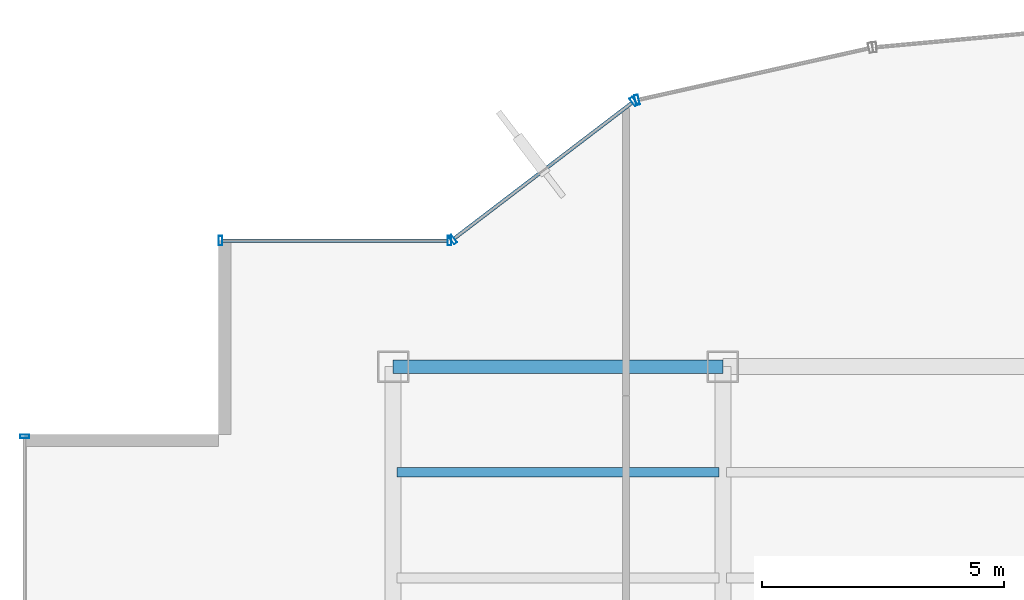
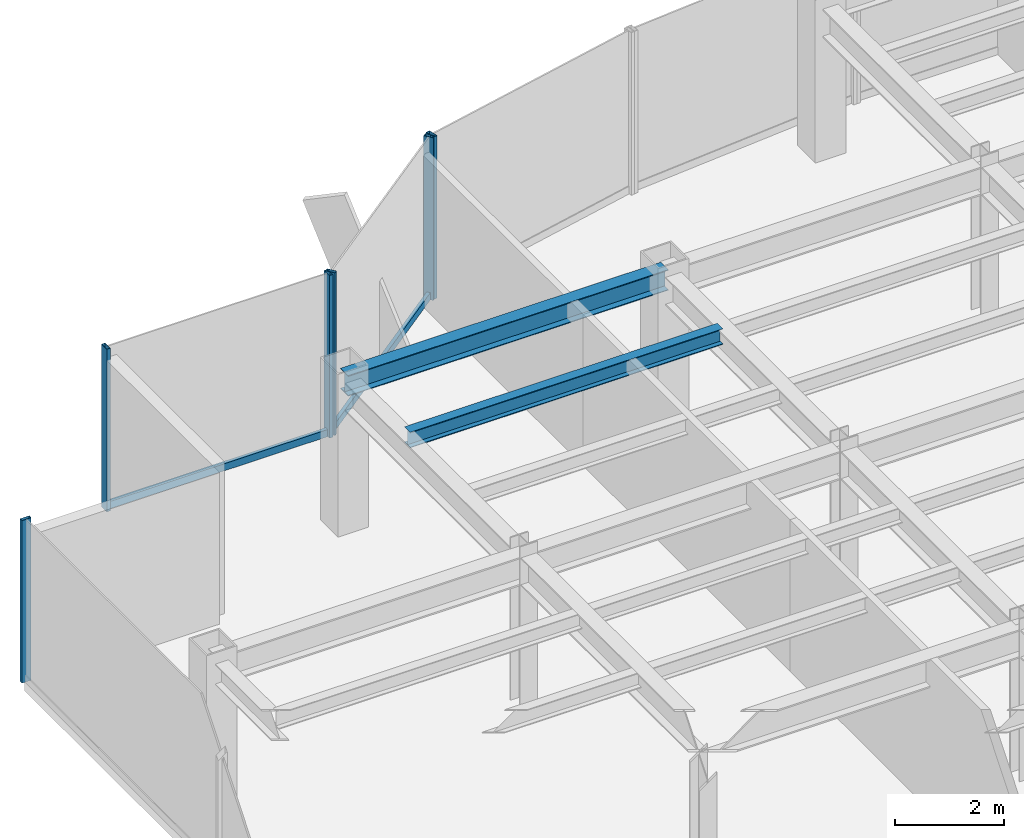
# One storey, part 14 of 25: 8 members, 2 beams, 4 elements without a shape of their own.
"""IFC4 building model written with IfcOpenShell, lengths in metres."""

from ifc_helpers import new_model, si_unit, derived_unit, direction, frame, origin, origin_2d, place, context, subcontext, project, spatial, hollow_rectangle, i_section, extrude, source, transform, mapped, material, material_profile, profile_set, type_object, element, aggregate, save


model = new_model("IFC4")

# Units and contexts
model_context = context("Model", 3, precision=1e-05, world=origin(), true_north=direction((0.0, 1.0)))
body_context = subcontext(model_context, "Body", "Model", "MODEL_VIEW")
ifc_project = project(units=[si_unit("LENGTHUNIT", "METRE"), si_unit("AREAUNIT", "SQUARE_METRE"), si_unit("VOLUMEUNIT", "CUBIC_METRE"), si_unit("PLANEANGLEUNIT", "RADIAN"), si_unit("MASSUNIT", "GRAM", prefix="KILO"), derived_unit("THERMALTRANSMITTANCEUNIT", [(si_unit("POWERUNIT", "WATT"), 1), (si_unit("LENGTHUNIT", "METRE"), -2), (si_unit("THERMODYNAMICTEMPERATUREUNIT", "KELVIN"), -1)])], contexts=[model_context])

# Site, building, storey
site_placement = place(None, origin())
site = spatial("IfcSite", under=ifc_project, at=site_placement, CompositionType="ELEMENT")
building_placement = place(site_placement, origin())
building = spatial("IfcBuilding", under=site, at=building_placement, Name="Skarnbrae Concourse Arena and Tower", CompositionType="ELEMENT")
storey_placement = place(building_placement, frame((0.0, 0.0, 151.550048828125)))
storey = spatial("IfcBuildingStorey", under=building, at=storey_placement, Name="L38", CompositionType="ELEMENT", Elevation=151.550048828125)

# Beams
ifc_material_1 = material(Name="Steel CSA G40.21 350W", Category="steel")
ifc_material_profile_1 = material_profile(ifc_material_1, i_section(OverallWidth=0.280029296875, OverallDepth=0.462890625, WebThickness=0.0107421875, FlangeThickness=0.017333984375, at=origin_2d()), Name="W460X113")
ifc_profile_set_1 = profile_set([ifc_material_profile_1], Name="Steel CSA G40.21 350W")
beam_type_1 = type_object("IfcBeamType", Name="BM-SPAN-W460X113", PredefinedType="SPANDREL", material=ifc_profile_set_1)
shared_shape_1 = source(origin(), body_context, "Body", "SweptSolid", [
    extrude(i_section(OverallWidth=0.280029296875, OverallDepth=0.462890625, WebThickness=0.0107421875, FlangeThickness=0.017333984375, at=origin_2d()), origin(), (0.0, 0.0, 1.0), 6.7998046875),
])
beam_1_placement = place(storey_placement, frame((7.60009765625, 34.39990234375, 3.16845703125), z_axis=(1.0, 0.0, 0.0), x_axis=(0.0, 1.0, 0.0)))
element("IfcBeam", 1, at=beam_1_placement, inside=storey, type_object=beam_type_1, Name="L38 Perimeter spandrel Y34.4-1", PredefinedType="SPANDREL", context=body_context, shape_type="MappedRepresentation", body=[
    mapped(shared_shape_1, transform((0.0, 0.0, 0.0))),
])
ifc_material_profile_2 = material_profile(ifc_material_1, i_section(OverallWidth=0.205078125, OverallDepth=0.35400390625, WebThickness=0.009521484375, FlangeThickness=0.016845703125, at=origin_2d()), Name="W360X79")
ifc_profile_set_2 = profile_set([ifc_material_profile_2], Name="Steel CSA G40.21 350W")
beam_type_2 = type_object("IfcBeamType", Name="BM-JOIST-W360X79", PredefinedType="JOIST", material=ifc_profile_set_2)
shared_shape_2 = source(origin(), body_context, "Body", "SweptSolid", [
    extrude(i_section(OverallWidth=0.205078125, OverallDepth=0.35400390625, WebThickness=0.009521484375, FlangeThickness=0.016845703125, at=origin_2d()), origin(), (0.0, 0.0, 1.0), 6.64013671875),
])
beam_2_placement = place(storey_placement, frame((7.679931640625, 32.221923828125, 3.222900390625), z_axis=(1.0, 0.0, 0.0), x_axis=(0.0, 1.0, 0.0)))
element("IfcBeam", 2, at=beam_2_placement, inside=storey, type_object=beam_type_2, Name="L38 Secondary floor joist 3.2.1", PredefinedType="JOIST", context=body_context, shape_type="MappedRepresentation", body=[
    mapped(shared_shape_2, transform((0.0, 0.0, 0.0))),
])

# Curtain wall, member
ifc_material_2 = material(Name="Bronze anodised aluminium 6063-T6", Category="aluminium")
curtain_wall_type_1 = type_object("IfcCurtainWallType", Name="CW-SYS-03-PORTAL", PredefinedType="USERDEFINED", material=ifc_material_2)
curtain_wall_1_placement = place(storey_placement, origin())
curtain_wall_1 = element("IfcCurtainWall", 3, at=curtain_wall_1_placement, inside=storey, type_object=curtain_wall_type_1, Name="L38 Unitised curtain wall CW-L38-E13", ObjectType="UNITISED CURTAIN WALL", PredefinedType="USERDEFINED")
ifc_material_profile_3 = material_profile(ifc_material_2, hollow_rectangle(XDim=0.080078125, YDim=0.2099609375, WallThickness=0.00439453125, at=origin_2d()), Name="ALU-MULL-80X210")
ifc_profile_set_3 = profile_set([ifc_material_profile_3], Name="Bronze anodised aluminium 6063-T6")
member_type_1 = type_object("IfcMemberType", Name="CWM-CW-03", PredefinedType="MULLION", material=ifc_profile_set_3)
shared_shape_3 = source(origin(), body_context, "Body", "SweptSolid", [
    extrude(hollow_rectangle(XDim=0.080078125, YDim=0.2099609375, WallThickness=0.00439453125, at=origin_2d()), origin(), (0.0, 0.0, 1.0), 3.64990234375),
])
member_1_placement = place(storey_placement, frame((12.62939453125, 39.9013671875, 0.0), z_axis=(0.0, 0.0, 1.0), x_axis=(-0.975936175393, -0.218056372433, 0.0)))
member_1 = element("IfcMember", 4, at=member_1_placement, type_object=member_type_1, Name="CW-L38-E13 Mullion 2", PredefinedType="MULLION", context=body_context, shape_type="MappedRepresentation", body=[
    mapped(shared_shape_3, transform((0.0, 0.0, 0.0))),
])
aggregate(curtain_wall_1, [member_1])

# Curtain wall, members
curtain_wall_type_2 = type_object("IfcCurtainWallType", Name="CW-SYS-04-MIDZONE", PredefinedType="USERDEFINED", material=ifc_material_2)
curtain_wall_2_placement = place(storey_placement, origin())
curtain_wall_2 = element("IfcCurtainWall", 5, at=curtain_wall_2_placement, inside=storey, type_object=curtain_wall_type_2, Name="L38 Unitised curtain wall CW-L38-E14", ObjectType="UNITISED CURTAIN WALL", PredefinedType="USERDEFINED")
ifc_material_profile_4 = material_profile(ifc_material_2, hollow_rectangle(XDim=0.074951171875, YDim=0.195068359375, WallThickness=0.00439453125, at=origin_2d()), Name="ALU-MULL-75X195")
ifc_profile_set_4 = profile_set([ifc_material_profile_4], Name="Bronze anodised aluminium 6063-T6")
member_type_2 = type_object("IfcMemberType", Name="CWM-CW-04", PredefinedType="MULLION", material=ifc_profile_set_4)
shared_shape_4 = source(origin(), body_context, "Body", "SweptSolid", [
    extrude(hollow_rectangle(XDim=0.074951171875, YDim=0.195068359375, WallThickness=0.00439453125, at=origin_2d()), origin(), (0.0, 0.0, 1.0), 3.64990234375),
])
member_2_placement = place(storey_placement, frame((12.560791015625, 39.869873046875, 0.0), z_axis=(0.0, 0.0, 1.0), x_axis=(-0.794956000706, -0.606667089054, 0.0)))
member_2 = element("IfcMember", 6, at=member_2_placement, type_object=member_type_2, Name="CW-L38-E14 Mullion 1", PredefinedType="MULLION", context=body_context, shape_type="MappedRepresentation", body=[
    mapped(shared_shape_4, transform((0.0, 0.0, 0.0))),
])
member_3_placement = place(storey_placement, frame((8.829833984375, 37.022705078125, 0.0), z_axis=(0.0, 0.0, 1.0), x_axis=(-0.794956000706, -0.606667089054, 0.0)))
member_3 = element("IfcMember", 7, at=member_3_placement, type_object=member_type_2, Name="CW-L38-E14 Mullion 2", PredefinedType="MULLION", context=body_context, shape_type="MappedRepresentation", body=[
    mapped(shared_shape_4, transform((0.0, 0.0, 0.0))),
])

curtain_wall_3_placement = place(storey_placement, origin())
curtain_wall_3 = element("IfcCurtainWall", 8, at=curtain_wall_3_placement, inside=storey, type_object=curtain_wall_type_2, Name="L38 Unitised curtain wall CW-L38-E15", ObjectType="UNITISED CURTAIN WALL", PredefinedType="USERDEFINED")
member_4_placement = place(storey_placement, frame((8.762451171875, 37.0, 0.0), z_axis=(0.0, 0.0, 1.0), x_axis=(-1.0, 0.0, 0.0)))
member_4 = element("IfcMember", 9, at=member_4_placement, type_object=member_type_2, Name="CW-L38-E15 Mullion 1", PredefinedType="MULLION", context=body_context, shape_type="MappedRepresentation", body=[
    mapped(shared_shape_4, transform((0.0, 0.0, 0.0))),
])
member_5_placement = place(storey_placement, frame((4.03759765625, 37.0, 0.0), z_axis=(0.0, 0.0, 1.0), x_axis=(-1.0, 0.0, 0.0)))
member_5 = element("IfcMember", 10, at=member_5_placement, type_object=member_type_2, Name="CW-L38-E15 Mullion 2", PredefinedType="MULLION", context=body_context, shape_type="MappedRepresentation", body=[
    mapped(shared_shape_4, transform((0.0, 0.0, 0.0))),
])

# Curtain wall, member
curtain_wall_4_placement = place(storey_placement, origin())
curtain_wall_4 = element("IfcCurtainWall", 11, at=curtain_wall_4_placement, inside=storey, type_object=curtain_wall_type_2, Name="L38 Unitised curtain wall CW-L38-E18", ObjectType="UNITISED CURTAIN WALL", PredefinedType="USERDEFINED")
member_6_placement = place(storey_placement, frame((0.0, 32.96240234375, 0.0), z_axis=(0.0, 0.0, 1.0), x_axis=(0.0, -1.0, 0.0)))
member_6 = element("IfcMember", 12, at=member_6_placement, type_object=member_type_2, Name="CW-L38-E18 Mullion 1", PredefinedType="MULLION", context=body_context, shape_type="MappedRepresentation", body=[
    mapped(shared_shape_4, transform((0.0, 0.0, 0.0))),
])
aggregate(curtain_wall_4, [member_6])

# Member
ifc_material_profile_5 = material_profile(ifc_material_2, hollow_rectangle(XDim=0.074951171875, YDim=0.159912109375, WallThickness=0.00439453125, at=origin_2d()), Name="ALU-TRAN-75X160")
ifc_profile_set_5 = profile_set([ifc_material_profile_5], Name="Bronze anodised aluminium 6063-T6")
member_type_3 = type_object("IfcMemberType", Name="CWT-CW-04", PredefinedType="USERDEFINED", material=ifc_profile_set_5)
shared_shape_5 = source(origin(), body_context, "Body", "SweptSolid", [
    extrude(hollow_rectangle(XDim=0.074951171875, YDim=0.159912109375, WallThickness=0.00439453125, at=origin_2d()), origin(), (0.0, 0.0, 1.0), 4.650146484375),
])
member_7_placement = place(storey_placement, frame((8.72509765625, 37.0, 0.079833984375), z_axis=(-1.0, 0.0, 0.0), x_axis=(0.0, -1.0, 0.0)))
member_7 = element("IfcMember", 13, at=member_7_placement, type_object=member_type_3, Name="CW-L38-E15 Transom 1", ObjectType="TRANSOM", PredefinedType="USERDEFINED", context=body_context, shape_type="MappedRepresentation", body=[
    mapped(shared_shape_5, transform((0.0, 0.0, 0.0))),
])

aggregate(curtain_wall_3, [member_4, member_5, member_7])

shared_shape_6 = source(origin(), body_context, "Body", "SweptSolid", [
    extrude(hollow_rectangle(XDim=0.074951171875, YDim=0.159912109375, WallThickness=0.00439453125, at=origin_2d()), origin(), (0.0, 0.0, 1.0), 4.618408203125),
])
member_8_placement = place(storey_placement, frame((12.531005859375, 39.84716796875, 0.079833984375), z_axis=(-0.794960638756, -0.606661011462, 0.0), x_axis=(0.606661011462, -0.794960638756, 0.0)))
member_8 = element("IfcMember", 14, at=member_8_placement, type_object=member_type_3, Name="CW-L38-E14 Transom 1", ObjectType="TRANSOM", PredefinedType="USERDEFINED", context=body_context, shape_type="MappedRepresentation", body=[
    mapped(shared_shape_6, transform((0.0, 0.0, 0.0))),
])

aggregate(curtain_wall_2, [member_2, member_3, member_8])

save(model, "model.ifc")
